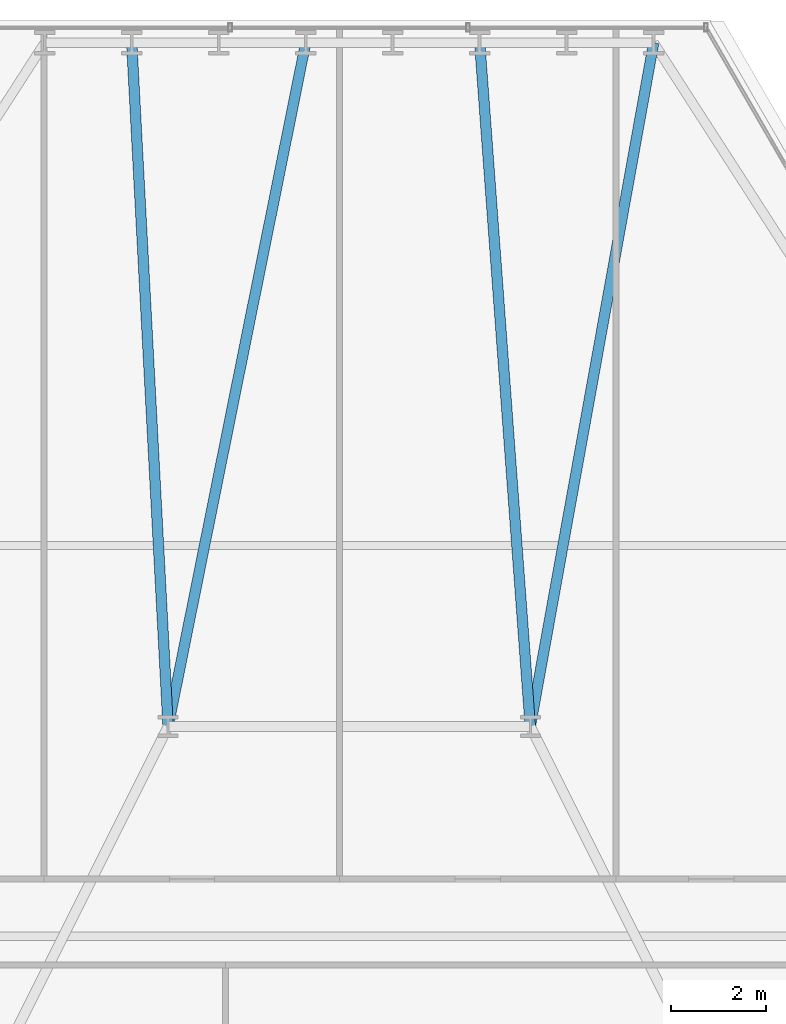
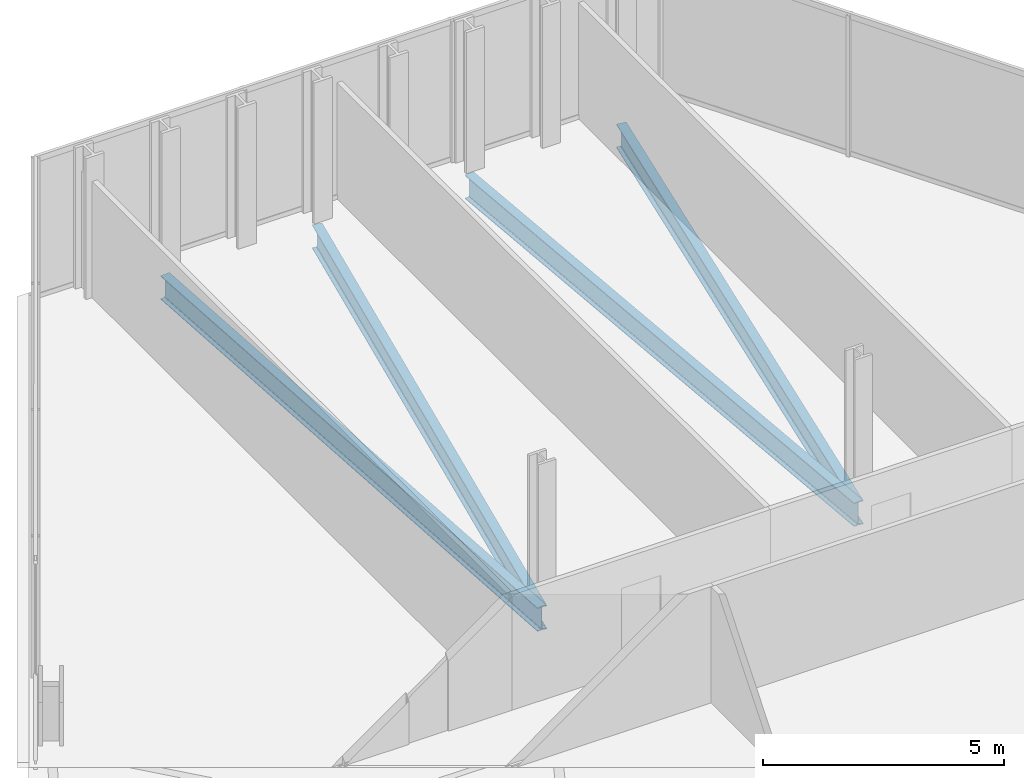
# One storey, part 23 of 32: 4 beams.
"""IFC4 building model written with IfcOpenShell, lengths in metres."""

from ifc_helpers import new_model, si_unit, direction, frame, origin, origin_2d, place, context, subcontext, project, spatial, i_section, extrude, material, material_profile, profile_set, type_object, element, save


model = new_model("IFC4")

# Units and contexts
model_context = context("Model", 3, precision=1e-05, world=origin(), true_north=direction((0.0, 1.0)))
body_context = subcontext(model_context, "Body", "Model", "MODEL_VIEW")
ifc_project = project(units=[si_unit("LENGTHUNIT", "METRE"), si_unit("AREAUNIT", "SQUARE_METRE"), si_unit("VOLUMEUNIT", "CUBIC_METRE"), si_unit("PLANEANGLEUNIT", "RADIAN"), si_unit("MASSUNIT", "GRAM", prefix="KILO")], contexts=[model_context])

# Site, building, storey
site_placement = place(None, origin())
site = spatial("IfcSite", under=ifc_project, at=site_placement, CompositionType="ELEMENT")
building_placement = place(site_placement, origin())
building = spatial("IfcBuilding", under=site, at=building_placement, Name="Ndaravel Arena Tower", CompositionType="ELEMENT")
storey_placement = place(building_placement, frame((0.0, 0.0, 70.199951171875)))
storey = spatial("IfcBuildingStorey", under=building, at=storey_placement, Name="L15", CompositionType="ELEMENT", Elevation=70.199951171875)

# Beams
ifc_material = material(Name="Steel S355", Category="steel")
ifc_material_profile = material_profile(ifc_material, i_section(OverallWidth=0.219970703125, OverallDepth=0.60009765625, WebThickness=0.011962890625, FlangeThickness=0.01904296875, FilletRadius=0.02392578125, at=origin_2d()), Name="IPE 600")
ifc_profile_set = profile_set([ifc_material_profile], Name="Steel S355")
beam_type = type_object("IfcBeamType", Name="BM-GIRD-IPE600", PredefinedType="BEAM", material=ifc_profile_set)
beam_1_placement = place(storey_placement, frame((48.38916015625, 45.545654296875, -0.52001953125), z_axis=(-0.177610445305, -0.984100873752, 0.0), x_axis=(0.984100873752, -0.177610445305, 0.0)))
element("IfcBeam", 1, at=beam_1_placement, inside=storey, type_object=beam_type, Name="L15 Radial Floor Girder FG-11", PredefinedType="BEAM", context=body_context, shape_type="SweptSolid", body=[
    extrude(i_section(OverallWidth=0.219970703125, OverallDepth=0.60009765625, WebThickness=0.011962890625, FlangeThickness=0.01904296875, FilletRadius=0.02392578125, at=origin_2d()), origin(), (0.0, 0.0, 1.0), 14.577392578125),
])
beam_2_placement = place(storey_placement, frame((44.73828125, 45.545654296875, -0.52001953125), z_axis=(0.073811044782, -0.997272244509, 0.0), x_axis=(0.997272244509, 0.073811044782, 0.0)))
element("IfcBeam", 2, at=beam_2_placement, inside=storey, type_object=beam_type, Name="L15 Radial Floor Girder FG-13", PredefinedType="BEAM", context=body_context, shape_type="SweptSolid", body=[
    extrude(i_section(OverallWidth=0.219970703125, OverallDepth=0.60009765625, WebThickness=0.011962890625, FlangeThickness=0.01904296875, FilletRadius=0.02392578125, at=origin_2d()), origin(), (0.0, 0.0, 1.0), 14.385009765625),
])
beam_3_placement = place(storey_placement, frame((41.08740234375, 45.545654296875, -0.52001953125), z_axis=(-0.197319145207, -0.980339306024, 0.0), x_axis=(0.980339306024, -0.197319145207, 0.0)))
element("IfcBeam", 3, at=beam_3_placement, inside=storey, type_object=beam_type, Name="L15 Radial Floor Girder FG-15", PredefinedType="BEAM", context=body_context, shape_type="SweptSolid", body=[
    extrude(i_section(OverallWidth=0.219970703125, OverallDepth=0.60009765625, WebThickness=0.011962890625, FlangeThickness=0.01904296875, FilletRadius=0.02392578125, at=origin_2d()), origin(), (0.0, 0.0, 1.0), 14.63330078125),
])
beam_4_placement = place(storey_placement, frame((37.436279296875, 45.545654296875, -0.52001953125), z_axis=(0.053158225442, -0.99858610198, 0.0), x_axis=(0.99858610198, 0.053158225442, 0.0)))
element("IfcBeam", 4, at=beam_4_placement, inside=storey, type_object=beam_type, Name="L15 Radial Floor Girder FG-17", PredefinedType="BEAM", context=body_context, shape_type="SweptSolid", body=[
    extrude(i_section(OverallWidth=0.219970703125, OverallDepth=0.60009765625, WebThickness=0.011962890625, FlangeThickness=0.01904296875, FilletRadius=0.02392578125, at=origin_2d()), origin(), (0.0, 0.0, 1.0), 14.365966796875),
])

save(model, "model.ifc")
